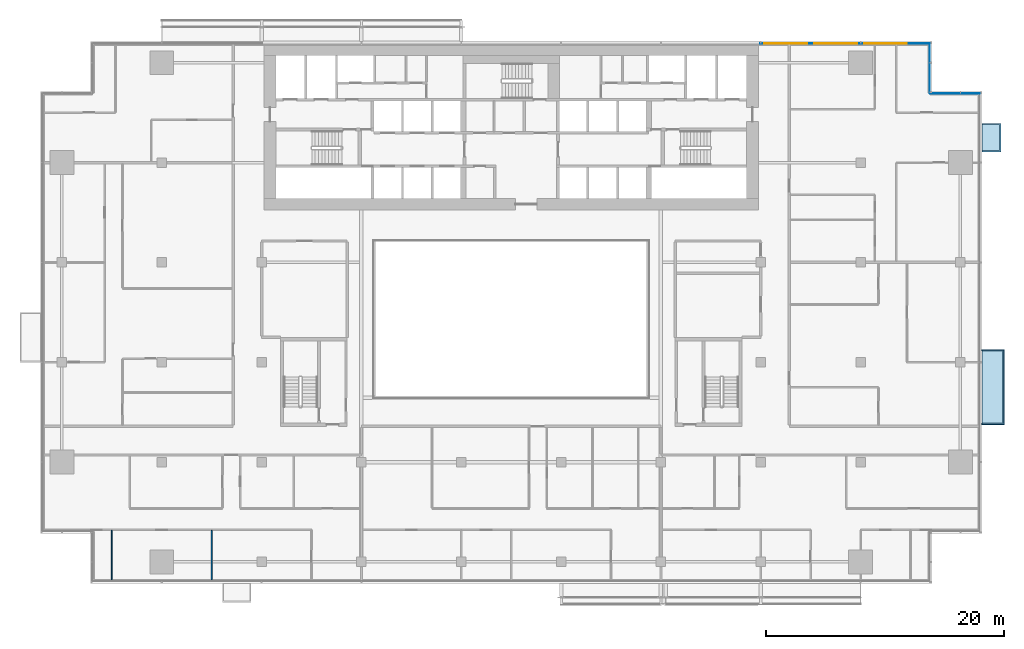
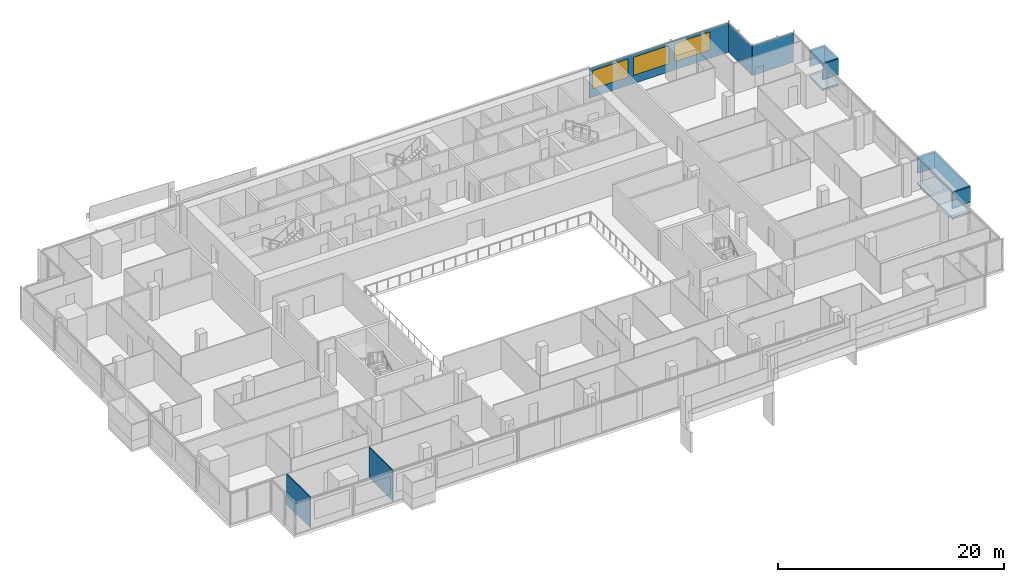
# One storey, part 16 of 27: 7 plates, 3 windows, 2 slabs, 2 walls, 3 openings, 3 elements without a shape of their own.
"""IFC4 building model written with IfcOpenShell, lengths in metres."""

from ifc_helpers import new_model, si_unit, direction, frame, frame_2d, origin, place, context, subcontext, project, spatial, polyline, rectangle, outline, extrude, material, layer, layer_set, type_object, element, fill, aggregate, save


model = new_model("IFC4")

# Units and contexts
model_context = context("Model", 3, precision=1e-05, world=origin(), true_north=direction((0.0, 1.0)))
body_context = subcontext(model_context, "Body", "Model", "MODEL_VIEW")
ifc_project = project(units=[si_unit("LENGTHUNIT", "METRE"), si_unit("AREAUNIT", "SQUARE_METRE"), si_unit("VOLUMEUNIT", "CUBIC_METRE"), si_unit("PLANEANGLEUNIT", "RADIAN"), si_unit("MASSUNIT", "GRAM", prefix="KILO")], contexts=[model_context])

# Site, building, storey
site_placement = place(None, origin())
site = spatial("IfcSite", under=ifc_project, at=site_placement, CompositionType="ELEMENT")
building_placement = place(site_placement, origin())
building = spatial("IfcBuilding", under=site, at=building_placement, Name="Saffron Gate Tower", CompositionType="ELEMENT")
storey_placement = place(building_placement, frame((0.0, 0.0, 124.050048828125)))
storey = spatial("IfcBuildingStorey", under=building, at=storey_placement, Name="L29", CompositionType="ELEMENT", Elevation=124.050048828125)

# Curtain wall, plate, openings, windows
ifc_material_1 = material(Name="Aluminium, bronze anodised", Category="aluminium")
curtain_wall_type_1 = type_object("IfcCurtainWallType", Name="CWS3 curtain wall rear facade", PredefinedType="NOTDEFINED", material=ifc_material_1)
curtain_wall_1_placement = place(storey_placement, origin())
curtain_wall_1 = element("IfcCurtainWall", 1, at=curtain_wall_1_placement, inside=storey, type_object=curtain_wall_type_1, Name="CWS3 run 7", PredefinedType="NOTDEFINED")
ifc_material_2 = material(Name="Fritted grey-tinted laminated glass", Category="glass")
ifc_layer_1 = layer(ifc_material_2, 0.028076171875)
ifc_layer_set_1 = layer_set([ifc_layer_1], Name="CWS3 fixed glass")
plate_type_1 = type_object("IfcPlateType", Name="CWS3 fixed glass", PredefinedType="CURTAIN_PANEL", material=ifc_layer_set_1)
plate_1_placement = place(storey_placement, frame((122.81201171875, 75.426025390625, 0.0), z_axis=(0.0, 0.0, 1.0), x_axis=(-1.0, 0.0, 0.0)))
plate_1 = element("IfcPlate", 2, at=plate_1_placement, type_object=plate_type_1, Name="CWS3 glass panel", PredefinedType="CURTAIN_PANEL", context=body_context, shape_type="SweptSolid", body=[
    extrude(rectangle(XDim=14.2470703125, YDim=0.028076171875, at=frame_2d((7.12353515625, 0.0))), origin(), (0.0, 0.0, 1.0), 3.199951171875),
])
opening_1_placement = place(plate_1_placement, frame((1.912109375, 0.0, 0.89990234375)))
opening_1 = element("IfcOpeningElement", 3, at=opening_1_placement, cuts=plate_1, Name="Opening W1", PredefinedType="OPENING", context=body_context, shape_type="SweptSolid", body=[
    extrude(rectangle(XDim=3.60009765625, YDim=1.949951171875, at=frame_2d((1.800048828125, 0.97509765625))), frame((0.0, 0.02392578125, 0.0), z_axis=(0.0, -1.0, 0.0), x_axis=(1.0, 0.0, 0.0)), (0.0, 0.0, 1.0), 0.048095703125),
])
opening_2_placement = place(plate_1_placement, frame((6.112060546875, 0.0, 0.89990234375)))
opening_2 = element("IfcOpeningElement", 4, at=opening_2_placement, cuts=plate_1, Name="Opening W1", PredefinedType="OPENING", context=body_context, shape_type="SweptSolid", body=[
    extrude(rectangle(XDim=3.60009765625, YDim=1.949951171875, at=frame_2d((1.800048828125, 0.97509765625))), frame((0.0, 0.02392578125, 0.0), z_axis=(0.0, -1.0, 0.0), x_axis=(1.0, 0.0, 0.0)), (0.0, 0.0, 1.0), 0.048095703125),
])
opening_3_placement = place(plate_1_placement, frame((10.31201171875, 0.0, 0.89990234375)))
opening_3 = element("IfcOpeningElement", 5, at=opening_3_placement, cuts=plate_1, Name="Opening W1", PredefinedType="OPENING", context=body_context, shape_type="SweptSolid", body=[
    extrude(rectangle(XDim=3.60009765625, YDim=1.949951171875, at=frame_2d((1.800048828125, 0.97509765625))), frame((0.0, 0.02392578125, 0.0), z_axis=(0.0, -1.0, 0.0), x_axis=(1.0, 0.0, 0.0)), (0.0, 0.0, 1.0), 0.048095703125),
])
ifc_material_3 = material(Name="Fritted bronze-tinted laminated glass in bronze frame", Category="glass")
ifc_layer_2 = layer(ifc_material_3, 0.06005859375)
ifc_layer_set_2 = layer_set([ifc_layer_2], Name="W1 operable panel 3600x1950")
window_type = type_object("IfcWindowType", Name="W1 operable panel 3600x1950", PartitioningType="DOUBLE_PANEL_HORIZONTAL", PredefinedType="WINDOW", material=ifc_layer_set_2)
window_1_placement = place(opening_1_placement, origin())
window_1 = element("IfcWindow", 6, at=window_1_placement, type_object=window_type, Name="W1 operable panel", OverallHeight=1.949951171875, OverallWidth=3.60009765625, PartitioningType="SINGLE_PANEL", PredefinedType="WINDOW", context=body_context, shape_type="SweptSolid", body=[
    extrude(rectangle(XDim=3.60009765625, YDim=1.949951171875, at=frame_2d((1.800048828125, 0.97509765625))), frame((0.0, 0.013671875, 0.0), z_axis=(0.0, -1.0, 0.0), x_axis=(1.0, 0.0, 0.0)), (0.0, 0.0, 1.0), 0.027587890625),
])
fill(opening_1, window_1)
window_2_placement = place(opening_2_placement, origin())
window_2 = element("IfcWindow", 7, at=window_2_placement, type_object=window_type, Name="W1 operable panel", OverallHeight=1.949951171875, OverallWidth=3.60009765625, PartitioningType="SINGLE_PANEL", PredefinedType="WINDOW", context=body_context, shape_type="SweptSolid", body=[
    extrude(rectangle(XDim=3.60009765625, YDim=1.949951171875, at=frame_2d((1.800048828125, 0.97509765625))), frame((0.0, 0.013671875, 0.0), z_axis=(0.0, -1.0, 0.0), x_axis=(1.0, 0.0, 0.0)), (0.0, 0.0, 1.0), 0.027587890625),
])
fill(opening_2, window_2)
window_3_placement = place(opening_3_placement, origin())
window_3 = element("IfcWindow", 8, at=window_3_placement, type_object=window_type, Name="W1 operable panel", OverallHeight=1.949951171875, OverallWidth=3.60009765625, PartitioningType="SINGLE_PANEL", PredefinedType="WINDOW", context=body_context, shape_type="SweptSolid", body=[
    extrude(rectangle(XDim=3.60009765625, YDim=1.949951171875, at=frame_2d((1.800048828125, 0.97509765625))), frame((0.0, 0.013671875, 0.0), z_axis=(0.0, -1.0, 0.0), x_axis=(1.0, 0.0, 0.0)), (0.0, 0.0, 1.0), 0.027587890625),
])
fill(opening_3, window_3)
aggregate(curtain_wall_1, [plate_1, window_1, window_2, window_3])

# Curtain wall, plate
curtain_wall_type_2 = type_object("IfcCurtainWallType", Name="CWS4 curtain wall corner returns", PredefinedType="NOTDEFINED", material=ifc_material_1)
curtain_wall_2_placement = place(storey_placement, origin())
curtain_wall_2 = element("IfcCurtainWall", 9, at=curtain_wall_2_placement, inside=storey, type_object=curtain_wall_type_2, Name="CWS4 run 5", PredefinedType="NOTDEFINED")
ifc_material_4 = material(Name="Fritted bronze-tinted laminated glass", Category="glass")
ifc_layer_3 = layer(ifc_material_4, 0.028076171875)
ifc_layer_set_3 = layer_set([ifc_layer_3], Name="CWS4 fixed glass")
plate_type_2 = type_object("IfcPlateType", Name="CWS4 fixed glass", PredefinedType="CURTAIN_PANEL", material=ifc_layer_set_3)
plate_2_placement = place(storey_placement, frame((127.011962890625, 71.22607421875, 0.0), z_axis=(0.0, 0.0, 1.0), x_axis=(-1.0, 0.0, 0.0)))
plate_2 = element("IfcPlate", 10, at=plate_2_placement, type_object=plate_type_2, Name="CWS4 glass panel", PredefinedType="CURTAIN_PANEL", context=body_context, shape_type="SweptSolid", body=[
    extrude(rectangle(XDim=4.171875, YDim=0.028076171875, at=frame_2d((2.0859375, 0.0))), origin(), (0.0, 0.0, 1.0), 3.199951171875),
])
aggregate(curtain_wall_2, [plate_2])

curtain_wall_3_placement = place(storey_placement, origin())
curtain_wall_3 = element("IfcCurtainWall", 11, at=curtain_wall_3_placement, inside=storey, type_object=curtain_wall_type_2, Name="CWS4 run 6", PredefinedType="NOTDEFINED")
plate_3_placement = place(storey_placement, frame((122.825927734375, 71.239990234375, 0.0), z_axis=(0.0, 0.0, 1.0), x_axis=(0.0, 1.0, 0.0)))
plate_3 = element("IfcPlate", 12, at=plate_3_placement, type_object=plate_type_2, Name="CWS4 glass panel", PredefinedType="CURTAIN_PANEL", context=body_context, shape_type="SweptSolid", body=[
    extrude(rectangle(XDim=4.172119140625, YDim=0.028076171875, at=frame_2d((2.0859375, 0.0))), origin(), (0.0, 0.0, 1.0), 3.199951171875),
])
aggregate(curtain_wall_3, [plate_3])

# Slabs
ifc_material_5 = material(Name="Timber deck on bronze frame", Category="wood")
ifc_layer_4 = layer(ifc_material_5, 0.199951171875)
ifc_layer_set_4 = layer_set([ifc_layer_4], Name="WB1 box floor")
slab_type = type_object("IfcSlabType", Name="WB1 box floor", PredefinedType="FLOOR", material=ifc_layer_set_4)
slab_1_placement = place(storey_placement, frame((0.0, 0.0, -0.199951171875)))
element("IfcSlab", 13, at=slab_1_placement, inside=storey, type_object=slab_type, Name="WINDOW BOX floor", PredefinedType="FLOOR", context=body_context, shape_type="SweptSolid", body=[
    extrude(outline(polyline([(127.199951171875, 43.35009765625), (127.199951171875, 49.64990234375), (129.06689453125, 49.64990234375), (129.06689453125, 43.35009765625), (127.199951171875, 43.35009765625)])), origin(), (0.0, 0.0, 1.0), 0.199951171875),
])
slab_2_placement = place(storey_placement, frame((0.0, 0.0, -0.199951171875)))
element("IfcSlab", 14, at=slab_2_placement, inside=storey, type_object=slab_type, Name="WINDOW BOX floor", PredefinedType="FLOOR", context=body_context, shape_type="SweptSolid", body=[
    extrude(outline(polyline([(127.199951171875, 66.300048828125), (127.199951171875, 68.699951171875), (128.800048828125, 68.699951171875), (128.800048828125, 66.300048828125), (127.199951171875, 66.300048828125)])), origin(), (0.0, 0.0, 1.0), 0.199951171875),
])

# Plates
ifc_layer_5 = layer(ifc_material_1, 0.1201171875)
ifc_layer_set_5 = layer_set([ifc_layer_5], Name="WB2 box roof")
plate_type_3 = type_object("IfcPlateType", Name="WB2 box roof", PredefinedType="SHEET", material=ifc_layer_set_5)
plate_4_placement = place(storey_placement, frame((0.0, 0.0, 2.699951171875)))
element("IfcPlate", 15, at=plate_4_placement, inside=storey, type_object=plate_type_3, Name="WINDOW BOX roof", PredefinedType="SHEET", context=body_context, shape_type="SweptSolid", body=[
    extrude(outline(polyline([(127.199951171875, 43.35009765625), (127.199951171875, 49.64990234375), (129.06689453125, 49.64990234375), (129.06689453125, 43.35009765625), (127.199951171875, 43.35009765625)])), origin(), (0.0, 0.0, 1.0), 0.1201171875),
])
plate_5_placement = place(storey_placement, frame((0.0, 0.0, 2.699951171875)))
element("IfcPlate", 16, at=plate_5_placement, inside=storey, type_object=plate_type_3, Name="WINDOW BOX roof", PredefinedType="SHEET", context=body_context, shape_type="SweptSolid", body=[
    extrude(outline(polyline([(127.199951171875, 66.300048828125), (127.199951171875, 68.699951171875), (128.800048828125, 68.699951171875), (128.800048828125, 66.300048828125), (127.199951171875, 66.300048828125)])), origin(), (0.0, 0.0, 1.0), 0.1201171875),
])
ifc_material_6 = material(Name="Clear low-iron laminated glass", Category="glass")
ifc_layer_6 = layer(ifc_material_6, 0.10009765625)
ifc_layer_set_6 = layer_set([ifc_layer_6], Name="WB6 box glazing")
plate_type_4 = type_object("IfcPlateType", Name="WB6 box glazing", PredefinedType="SHEET", material=ifc_layer_set_6)
plate_6_placement = place(storey_placement, frame((0.0, 0.0, 1.0)))
element("IfcPlate", 17, at=plate_6_placement, inside=storey, type_object=plate_type_4, Name="WINDOW BOX glazing", PredefinedType="SHEET", context=body_context, shape_type="SweptSolid", body=[
    extrude(outline(polyline([(127.199951171875, 43.35009765625), (127.199951171875, 43.449951171875), (128.967041015625, 43.449951171875), (128.967041015625, 49.550048828125), (127.199951171875, 49.550048828125), (127.199951171875, 49.64990234375), (129.06689453125, 49.64990234375), (129.06689453125, 43.35009765625), (127.199951171875, 43.35009765625)])), origin(), (0.0, 0.0, 1.0), 1.699951171875),
])
plate_7_placement = place(storey_placement, frame((0.0, 0.0, 1.0)))
element("IfcPlate", 18, at=plate_7_placement, inside=storey, type_object=plate_type_4, Name="WINDOW BOX glazing", PredefinedType="SHEET", context=body_context, shape_type="SweptSolid", body=[
    extrude(outline(polyline([(127.199951171875, 66.300048828125), (127.199951171875, 66.39990234375), (128.699951171875, 66.39990234375), (128.699951171875, 68.60009765625), (127.199951171875, 68.60009765625), (127.199951171875, 68.699951171875), (128.800048828125, 68.699951171875), (128.800048828125, 66.300048828125), (127.199951171875, 66.300048828125)])), origin(), (0.0, 0.0, 1.0), 1.699951171875),
])

# Walls
ifc_material_7 = material(Name="Plasterboard on steel studs", Category="steel")
ifc_layer_7 = layer(ifc_material_7, 0.10009765625)
ifc_layer_set_7 = layer_set([ifc_layer_7], Name="PW1 Partition 100")
wall_type = type_object("IfcWallType", Name="PW1 Partition 100", PredefinedType="PARTITIONING", material=ifc_layer_set_7)
for number, where, z_axis, x_axis, name in (
    (19, (54.0, 34.449951171875, 0.0), (0.0, 0.0, 1.0), (0.0, -1.0, 0.0), "Partition B3-48"),
    (20, (62.39990234375, 34.449951171875, 0.0), (0.0, 0.0, 1.0), (0.0, -1.0, 0.0), "Partition B3-54"),
):
    element("IfcWall", number, at=place(storey_placement, frame(where, z_axis=z_axis, x_axis=x_axis)), inside=storey, type_object=wall_type, Name=name, PredefinedType="PARTITIONING", context=body_context, shape_type="SweptSolid", body=[
        extrude(rectangle(XDim=4.169921875, YDim=0.10009765625, at=frame_2d((2.0849609375, 0.0))), origin(), (0.0, 0.0, 1.0), 3.320068359375),
    ])

save(model, "model.ifc")
